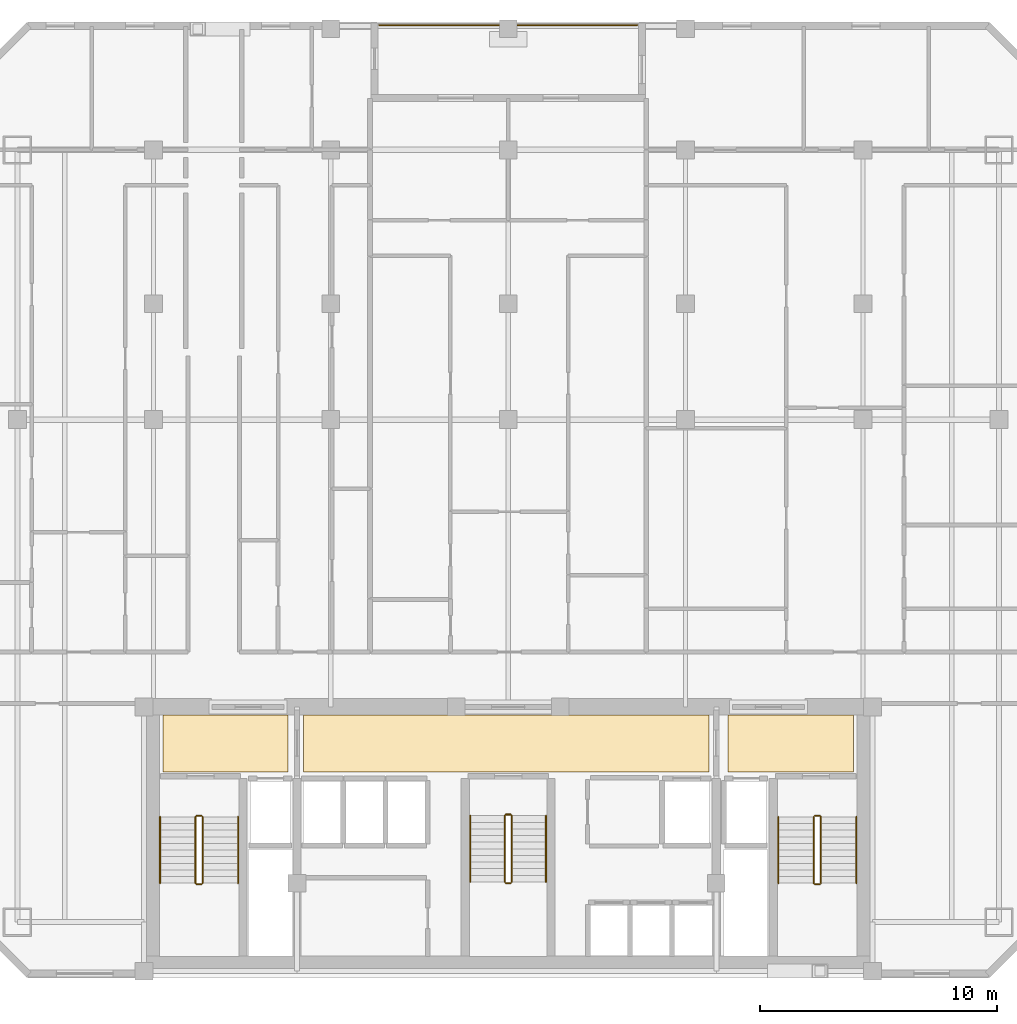
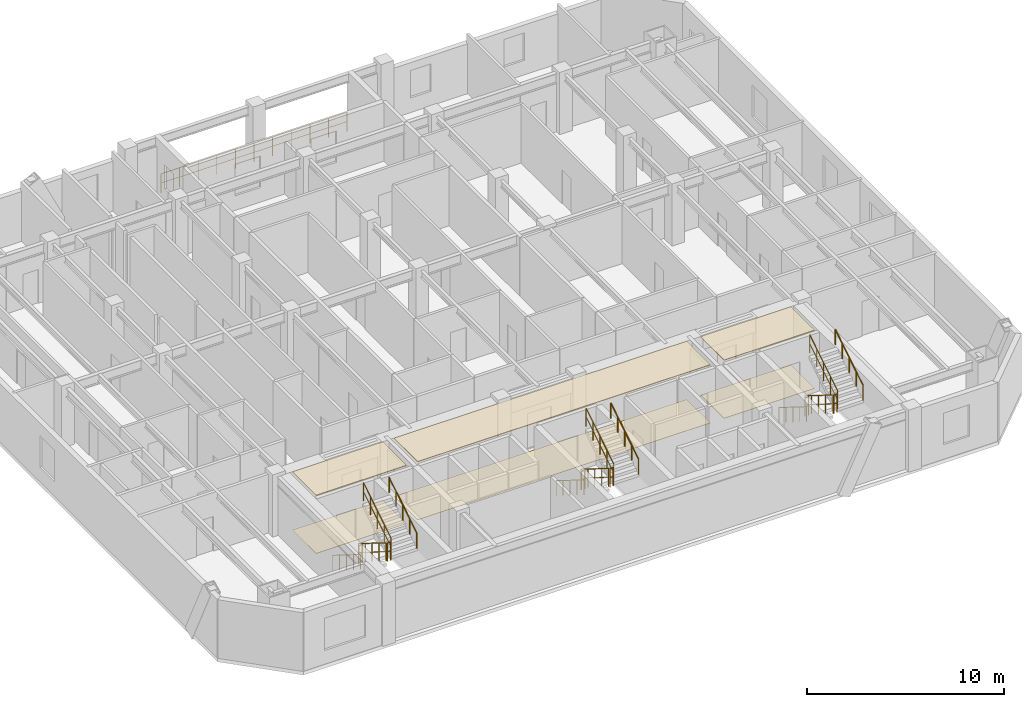
# One storey, part 8 of 8: 19 railings, 6 coverings.
"""IFC4 building model written with IfcOpenShell, lengths in metres."""

from ifc_helpers import new_model, si_unit, direction, frame, origin, origin_2d, place, context, subcontext, project, spatial, polyline, circle, outline, extrude, material, layer, layer_set, type_object, element, save


model = new_model("IFC4")

# Units and contexts
model_context = context("Model", 3, precision=1e-05, world=origin(), true_north=direction((0.0, 1.0)))
body_context = subcontext(model_context, "Body", "Model", "MODEL_VIEW")
ifc_project = project(units=[si_unit("LENGTHUNIT", "METRE"), si_unit("AREAUNIT", "SQUARE_METRE"), si_unit("VOLUMEUNIT", "CUBIC_METRE"), si_unit("PLANEANGLEUNIT", "RADIAN"), si_unit("MASSUNIT", "GRAM", prefix="KILO")], contexts=[model_context])

# Site, building, storey
site_placement = place(None, origin())
site = spatial("IfcSite", under=ifc_project, at=site_placement, CompositionType="ELEMENT")
building_placement = place(site_placement, origin())
building = spatial("IfcBuilding", under=site, at=building_placement, Name="Ventersveld Concourse Tower", CompositionType="ELEMENT")
storey_placement = place(building_placement, frame((0.0, 0.0, 179.85009765625)))
storey = spatial("IfcBuildingStorey", under=building, at=storey_placement, Name="L44", CompositionType="ELEMENT", Elevation=179.85009765625)

# Coverings
ifc_material_1 = material(Name="Mineral-fibre acoustic ceiling tile", Category="gypsum")
ifc_layer_1 = layer(ifc_material_1, 0.0400390625)
ifc_layer_set_1 = layer_set([ifc_layer_1], Name="Mineral-fibre acoustic ceiling tile")
covering_type_1 = type_object("IfcCoveringType", Name="COV-CEIL-ACOUSTIC", PredefinedType="CEILING", material=ifc_layer_set_1)
covering_1_placement = place(storey_placement, frame((0.0, 0.0, 3.58984375)))
element("IfcCovering", 1, at=covering_1_placement, inside=storey, type_object=covering_type_1, Name="L44 North Lift Lobby Acoustic Ceiling", PredefinedType="CEILING", context=body_context, shape_type="SweptSolid", body=[
    extrude(outline(polyline([(20.10009765625, 8.699951171875), (37.25, 8.699951171875), (37.25, 11.10009765625), (20.10009765625, 11.10009765625), (20.10009765625, 8.699951171875)])), origin(), (0.0, 0.0, 1.0), 0.0400390625),
])
covering_2_placement = place(storey_placement, frame((0.0, 0.0, 3.58984375)))
element("IfcCovering", 2, at=covering_2_placement, inside=storey, type_object=covering_type_1, Name="L44 West Firefighting Lobby Acoustic Ceiling", PredefinedType="CEILING", context=body_context, shape_type="SweptSolid", body=[
    extrude(outline(polyline([(14.14990234375, 8.699951171875), (19.449951171875, 8.699951171875), (19.449951171875, 11.10009765625), (14.14990234375, 11.10009765625), (14.14990234375, 8.699951171875)])), origin(), (0.0, 0.0, 1.0), 0.0400390625),
])
covering_3_placement = place(storey_placement, frame((0.0, 0.0, 3.58984375)))
element("IfcCovering", 3, at=covering_3_placement, inside=storey, type_object=covering_type_1, Name="L44 East Firefighting Lobby Acoustic Ceiling", PredefinedType="CEILING", context=body_context, shape_type="SweptSolid", body=[
    extrude(outline(polyline([(38.050048828125, 8.699951171875), (43.35009765625, 8.699951171875), (43.35009765625, 11.10009765625), (38.050048828125, 11.10009765625), (38.050048828125, 8.699951171875)])), origin(), (0.0, 0.0, 1.0), 0.0400390625),
])
ifc_material_2 = material(Name="Polished Highveld granite terrazzo", Category="masonry")
ifc_layer_2 = layer(ifc_material_2, 0.02001953125)
ifc_layer_set_2 = layer_set([ifc_layer_2], Name="Polished Highveld granite terrazzo")
covering_type_2 = type_object("IfcCoveringType", Name="COV-FLOOR-TERRAZZO", PredefinedType="FLOORING", material=ifc_layer_set_2)
covering_4_placement = place(storey_placement, origin())
element("IfcCovering", 4, at=covering_4_placement, inside=storey, type_object=covering_type_2, Name="L44 North Lift Lobby Terrazzo Flooring", PredefinedType="FLOORING", context=body_context, shape_type="SweptSolid", body=[
    extrude(outline(polyline([(20.10009765625, 8.699951171875), (37.25, 8.699951171875), (37.25, 11.10009765625), (20.10009765625, 11.10009765625), (20.10009765625, 8.699951171875)])), origin(), (0.0, 0.0, 1.0), 0.02001953125),
])
covering_5_placement = place(storey_placement, origin())
element("IfcCovering", 5, at=covering_5_placement, inside=storey, type_object=covering_type_2, Name="L44 West Firefighting Lobby Terrazzo Flooring", PredefinedType="FLOORING", context=body_context, shape_type="SweptSolid", body=[
    extrude(outline(polyline([(14.14990234375, 8.699951171875), (19.449951171875, 8.699951171875), (19.449951171875, 11.10009765625), (14.14990234375, 11.10009765625), (14.14990234375, 8.699951171875)])), origin(), (0.0, 0.0, 1.0), 0.02001953125),
])
covering_6_placement = place(storey_placement, origin())
element("IfcCovering", 6, at=covering_6_placement, inside=storey, type_object=covering_type_2, Name="L44 East Firefighting Lobby Terrazzo Flooring", PredefinedType="FLOORING", context=body_context, shape_type="SweptSolid", body=[
    extrude(outline(polyline([(38.050048828125, 8.699951171875), (43.35009765625, 8.699951171875), (43.35009765625, 11.10009765625), (38.050048828125, 11.10009765625), (38.050048828125, 8.699951171875)])), origin(), (0.0, 0.0, 1.0), 0.02001953125),
])

# Railings
ifc_material_3 = material(Name="Brushed stainless steel 316", Category="steel")
railing_type_1 = type_object("IfcRailingType", Name="GD-BAL-115", PredefinedType="GUARDRAIL", material=ifc_material_3)
railing_1_placement = place(storey_placement, frame((15.530029296875, 6.800048828125, 0.1748046875)))
element("IfcRailing", 7, at=railing_1_placement, inside=storey, type_object=railing_type_1, Name="L44 ST-01 stair guard 1", PredefinedType="GUARDRAIL", context=body_context, shape_type="SweptSolid", body=[
    extrude(circle(Radius=0.02392578125, at=origin_2d()), frame((0.0, 0.0, 1.1259765625), z_axis=(0.0, -0.848002457836, 0.529992293815), x_axis=(1.0, 0.0, 0.0)), (0.0, 0.0, 1.0), 3.302001953125),
    extrude(circle(Radius=0.01611328125, at=origin_2d()), frame((0.0, 0.0, 0.574951171875), z_axis=(0.0, -0.848002457836, 0.529992293815), x_axis=(1.0, 0.0, 0.0)), (0.0, 0.0, 1.0), 3.302001953125),
    extrude(circle(Radius=0.02099609375, at=origin_2d()), origin(), (0.0, 0.0, 1.0), 1.101806640625),
    extrude(circle(Radius=0.02099609375, at=origin_2d()), frame((0.0, -0.699951171875, 0.4375)), (0.0, 0.0, 1.0), 1.101806640625),
    extrude(circle(Radius=0.02099609375, at=origin_2d()), frame((0.0, -1.39990234375, 0.875)), (0.0, 0.0, 1.0), 1.101806640625),
    extrude(circle(Radius=0.02099609375, at=origin_2d()), frame((0.0, -2.10009765625, 1.3125)), (0.0, 0.0, 1.0), 1.101806640625),
    extrude(circle(Radius=0.02099609375, at=origin_2d()), frame((0.0, -2.800048828125, 1.75)), (0.0, 0.0, 1.0), 1.101806640625),
])
railing_2_placement = place(storey_placement, frame((15.580078125, 3.949951171875, 1.9248046875)))
element("IfcRailing", 8, at=railing_2_placement, inside=storey, type_object=railing_type_1, Name="L44 ST-01 stair guard 2", PredefinedType="GUARDRAIL", context=body_context, shape_type="SweptSolid", body=[
    extrude(circle(Radius=0.02392578125, at=origin_2d()), frame((0.0, 0.0, 1.1259765625), z_axis=(1.0, 0.0, 0.0), x_axis=(0.0, 1.0, 0.0)), (0.0, 0.0, 1.0), 0.199951171875),
    extrude(circle(Radius=0.01611328125, at=origin_2d()), frame((0.0, 0.0, 0.574951171875), z_axis=(1.0, 0.0, 0.0), x_axis=(0.0, 1.0, 0.0)), (0.0, 0.0, 1.0), 0.199951171875),
    extrude(circle(Radius=0.02099609375, at=origin_2d()), origin(), (0.0, 0.0, 1.0), 1.101806640625),
    extrude(circle(Radius=0.02099609375, at=origin_2d()), frame((0.199951171875, 0.0, 0.0)), (0.0, 0.0, 1.0), 1.101806640625),
])
railing_3_placement = place(storey_placement, frame((15.830078125, 4.0, 2.099853515625)))
element("IfcRailing", 9, at=railing_3_placement, inside=storey, type_object=railing_type_1, Name="L44 ST-01 stair guard 3", PredefinedType="GUARDRAIL", context=body_context, shape_type="SweptSolid", body=[
    extrude(circle(Radius=0.02392578125, at=origin_2d()), frame((0.0, 0.0, 1.1259765625), z_axis=(0.0, 0.848002457836, 0.529992293815), x_axis=(-1.0, 0.0, 0.0)), (0.0, 0.0, 1.0), 3.302001953125),
    extrude(circle(Radius=0.01611328125, at=origin_2d()), frame((0.0, 0.0, 0.574951171875), z_axis=(0.0, 0.848002457836, 0.529992293815), x_axis=(-1.0, 0.0, 0.0)), (0.0, 0.0, 1.0), 3.302001953125),
    extrude(circle(Radius=0.02099609375, at=origin_2d()), origin(), (0.0, 0.0, 1.0), 1.101806640625),
    extrude(circle(Radius=0.02099609375, at=origin_2d()), frame((0.0, 0.699951171875, 0.4375)), (0.0, 0.0, 1.0), 1.101806640625),
    extrude(circle(Radius=0.02099609375, at=origin_2d()), frame((0.0, 1.39990234375, 0.875)), (0.0, 0.0, 1.0), 1.101806640625),
    extrude(circle(Radius=0.02099609375, at=origin_2d()), frame((0.0, 2.10009765625, 1.3125)), (0.0, 0.0, 1.0), 1.101806640625),
    extrude(circle(Radius=0.02099609375, at=origin_2d()), frame((0.0, 2.800048828125, 1.75)), (0.0, 0.0, 1.0), 1.101806640625),
])
railing_4_placement = place(storey_placement, frame((15.580078125, 6.85009765625, 0.0)))
element("IfcRailing", 10, at=railing_4_placement, inside=storey, type_object=railing_type_1, Name="L44 ST-01 stair guard 4", PredefinedType="GUARDRAIL", context=body_context, shape_type="SweptSolid", body=[
    extrude(circle(Radius=0.02392578125, at=origin_2d()), frame((0.0, 0.0, 1.1259765625), z_axis=(1.0, 0.0, 0.0), x_axis=(0.0, 1.0, 0.0)), (0.0, 0.0, 1.0), 0.199951171875),
    extrude(circle(Radius=0.01611328125, at=origin_2d()), frame((0.0, 0.0, 0.574951171875), z_axis=(1.0, 0.0, 0.0), x_axis=(0.0, 1.0, 0.0)), (0.0, 0.0, 1.0), 0.199951171875),
    extrude(circle(Radius=0.02099609375, at=origin_2d()), origin(), (0.0, 0.0, 1.0), 1.101806640625),
    extrude(circle(Radius=0.02099609375, at=origin_2d()), frame((0.199951171875, 0.0, 0.0)), (0.0, 0.0, 1.0), 1.101806640625),
])
railing_5_placement = place(storey_placement, frame((41.669921875, 6.800048828125, 0.1748046875)))
element("IfcRailing", 11, at=railing_5_placement, inside=storey, type_object=railing_type_1, Name="L44 ST-02 stair guard 1", PredefinedType="GUARDRAIL", context=body_context, shape_type="SweptSolid", body=[
    extrude(circle(Radius=0.02392578125, at=origin_2d()), frame((0.0, 0.0, 1.1259765625), z_axis=(0.0, -0.848002457836, 0.529992293815), x_axis=(1.0, 0.0, 0.0)), (0.0, 0.0, 1.0), 3.302001953125),
    extrude(circle(Radius=0.01611328125, at=origin_2d()), frame((0.0, 0.0, 0.574951171875), z_axis=(0.0, -0.848002457836, 0.529992293815), x_axis=(1.0, 0.0, 0.0)), (0.0, 0.0, 1.0), 3.302001953125),
    extrude(circle(Radius=0.02099609375, at=origin_2d()), origin(), (0.0, 0.0, 1.0), 1.101806640625),
    extrude(circle(Radius=0.02099609375, at=origin_2d()), frame((0.0, -0.699951171875, 0.4375)), (0.0, 0.0, 1.0), 1.101806640625),
    extrude(circle(Radius=0.02099609375, at=origin_2d()), frame((0.0, -1.39990234375, 0.875)), (0.0, 0.0, 1.0), 1.101806640625),
    extrude(circle(Radius=0.02099609375, at=origin_2d()), frame((0.0, -2.10009765625, 1.3125)), (0.0, 0.0, 1.0), 1.101806640625),
    extrude(circle(Radius=0.02099609375, at=origin_2d()), frame((0.0, -2.800048828125, 1.75)), (0.0, 0.0, 1.0), 1.101806640625),
])
railing_6_placement = place(storey_placement, frame((41.719970703125, 3.949951171875, 1.9248046875)))
element("IfcRailing", 12, at=railing_6_placement, inside=storey, type_object=railing_type_1, Name="L44 ST-02 stair guard 2", PredefinedType="GUARDRAIL", context=body_context, shape_type="SweptSolid", body=[
    extrude(circle(Radius=0.02392578125, at=origin_2d()), frame((0.0, 0.0, 1.1259765625), z_axis=(1.0, 0.0, 0.0), x_axis=(0.0, 1.0, 0.0)), (0.0, 0.0, 1.0), 0.199951171875),
    extrude(circle(Radius=0.01611328125, at=origin_2d()), frame((0.0, 0.0, 0.574951171875), z_axis=(1.0, 0.0, 0.0), x_axis=(0.0, 1.0, 0.0)), (0.0, 0.0, 1.0), 0.199951171875),
    extrude(circle(Radius=0.02099609375, at=origin_2d()), origin(), (0.0, 0.0, 1.0), 1.101806640625),
    extrude(circle(Radius=0.02099609375, at=origin_2d()), frame((0.199951171875, 0.0, 0.0)), (0.0, 0.0, 1.0), 1.101806640625),
])
railing_7_placement = place(storey_placement, frame((41.969970703125, 4.0, 2.099853515625)))
element("IfcRailing", 13, at=railing_7_placement, inside=storey, type_object=railing_type_1, Name="L44 ST-02 stair guard 3", PredefinedType="GUARDRAIL", context=body_context, shape_type="SweptSolid", body=[
    extrude(circle(Radius=0.02392578125, at=origin_2d()), frame((0.0, 0.0, 1.1259765625), z_axis=(0.0, 0.848002457836, 0.529992293815), x_axis=(-1.0, 0.0, 0.0)), (0.0, 0.0, 1.0), 3.302001953125),
    extrude(circle(Radius=0.01611328125, at=origin_2d()), frame((0.0, 0.0, 0.574951171875), z_axis=(0.0, 0.848002457836, 0.529992293815), x_axis=(-1.0, 0.0, 0.0)), (0.0, 0.0, 1.0), 3.302001953125),
    extrude(circle(Radius=0.02099609375, at=origin_2d()), origin(), (0.0, 0.0, 1.0), 1.101806640625),
    extrude(circle(Radius=0.02099609375, at=origin_2d()), frame((0.0, 0.699951171875, 0.4375)), (0.0, 0.0, 1.0), 1.101806640625),
    extrude(circle(Radius=0.02099609375, at=origin_2d()), frame((0.0, 1.39990234375, 0.875)), (0.0, 0.0, 1.0), 1.101806640625),
    extrude(circle(Radius=0.02099609375, at=origin_2d()), frame((0.0, 2.10009765625, 1.3125)), (0.0, 0.0, 1.0), 1.101806640625),
    extrude(circle(Radius=0.02099609375, at=origin_2d()), frame((0.0, 2.800048828125, 1.75)), (0.0, 0.0, 1.0), 1.101806640625),
])
railing_8_placement = place(storey_placement, frame((41.719970703125, 6.85009765625, 0.0)))
element("IfcRailing", 14, at=railing_8_placement, inside=storey, type_object=railing_type_1, Name="L44 ST-02 stair guard 4", PredefinedType="GUARDRAIL", context=body_context, shape_type="SweptSolid", body=[
    extrude(circle(Radius=0.02392578125, at=origin_2d()), frame((0.0, 0.0, 1.1259765625), z_axis=(1.0, 0.0, 0.0), x_axis=(0.0, 1.0, 0.0)), (0.0, 0.0, 1.0), 0.199951171875),
    extrude(circle(Radius=0.01611328125, at=origin_2d()), frame((0.0, 0.0, 0.574951171875), z_axis=(1.0, 0.0, 0.0), x_axis=(0.0, 1.0, 0.0)), (0.0, 0.0, 1.0), 0.199951171875),
    extrude(circle(Radius=0.02099609375, at=origin_2d()), origin(), (0.0, 0.0, 1.0), 1.101806640625),
    extrude(circle(Radius=0.02099609375, at=origin_2d()), frame((0.199951171875, 0.0, 0.0)), (0.0, 0.0, 1.0), 1.101806640625),
])
railing_9_placement = place(storey_placement, frame((28.60009765625, 6.85009765625, 0.1748046875)))
element("IfcRailing", 15, at=railing_9_placement, inside=storey, type_object=railing_type_1, Name="L44 ST-03 stair guard 1", PredefinedType="GUARDRAIL", context=body_context, shape_type="SweptSolid", body=[
    extrude(circle(Radius=0.02392578125, at=origin_2d()), frame((0.0, 0.0, 1.1259765625), z_axis=(0.0, -0.848002457836, 0.529992293815), x_axis=(1.0, 0.0, 0.0)), (0.0, 0.0, 1.0), 3.302001953125),
    extrude(circle(Radius=0.01611328125, at=origin_2d()), frame((0.0, 0.0, 0.574951171875), z_axis=(0.0, -0.848002457836, 0.529992293815), x_axis=(1.0, 0.0, 0.0)), (0.0, 0.0, 1.0), 3.302001953125),
    extrude(circle(Radius=0.02099609375, at=origin_2d()), origin(), (0.0, 0.0, 1.0), 1.101806640625),
    extrude(circle(Radius=0.02099609375, at=origin_2d()), frame((0.0, -0.699951171875, 0.4375)), (0.0, 0.0, 1.0), 1.101806640625),
    extrude(circle(Radius=0.02099609375, at=origin_2d()), frame((0.0, -1.39990234375, 0.875)), (0.0, 0.0, 1.0), 1.101806640625),
    extrude(circle(Radius=0.02099609375, at=origin_2d()), frame((0.0, -2.10009765625, 1.3125)), (0.0, 0.0, 1.0), 1.101806640625),
    extrude(circle(Radius=0.02099609375, at=origin_2d()), frame((0.0, -2.800048828125, 1.75)), (0.0, 0.0, 1.0), 1.101806640625),
])
railing_10_placement = place(storey_placement, frame((28.64990234375, 4.0, 1.9248046875)))
element("IfcRailing", 16, at=railing_10_placement, inside=storey, type_object=railing_type_1, Name="L44 ST-03 stair guard 2", PredefinedType="GUARDRAIL", context=body_context, shape_type="SweptSolid", body=[
    extrude(circle(Radius=0.02392578125, at=origin_2d()), frame((0.0, 0.0, 1.1259765625), z_axis=(1.0, 0.0, 0.0), x_axis=(0.0, 1.0, 0.0)), (0.0, 0.0, 1.0), 0.2001953125),
    extrude(circle(Radius=0.01611328125, at=origin_2d()), frame((0.0, 0.0, 0.574951171875), z_axis=(1.0, 0.0, 0.0), x_axis=(0.0, 1.0, 0.0)), (0.0, 0.0, 1.0), 0.2001953125),
    extrude(circle(Radius=0.02099609375, at=origin_2d()), origin(), (0.0, 0.0, 1.0), 1.101806640625),
    extrude(circle(Radius=0.02099609375, at=origin_2d()), frame((0.2001953125, 0.0, 0.0)), (0.0, 0.0, 1.0), 1.101806640625),
])
railing_11_placement = place(storey_placement, frame((28.89990234375, 4.050048828125, 2.099853515625)))
element("IfcRailing", 17, at=railing_11_placement, inside=storey, type_object=railing_type_1, Name="L44 ST-03 stair guard 3", PredefinedType="GUARDRAIL", context=body_context, shape_type="SweptSolid", body=[
    extrude(circle(Radius=0.02392578125, at=origin_2d()), frame((0.0, 0.0, 1.1259765625), z_axis=(0.0, 0.848002457836, 0.529992293815), x_axis=(-1.0, 0.0, 0.0)), (0.0, 0.0, 1.0), 3.302001953125),
    extrude(circle(Radius=0.01611328125, at=origin_2d()), frame((0.0, 0.0, 0.574951171875), z_axis=(0.0, 0.848002457836, 0.529992293815), x_axis=(-1.0, 0.0, 0.0)), (0.0, 0.0, 1.0), 3.302001953125),
    extrude(circle(Radius=0.02099609375, at=origin_2d()), origin(), (0.0, 0.0, 1.0), 1.101806640625),
    extrude(circle(Radius=0.02099609375, at=origin_2d()), frame((0.0, 0.699951171875, 0.4375)), (0.0, 0.0, 1.0), 1.101806640625),
    extrude(circle(Radius=0.02099609375, at=origin_2d()), frame((0.0, 1.39990234375, 0.875)), (0.0, 0.0, 1.0), 1.101806640625),
    extrude(circle(Radius=0.02099609375, at=origin_2d()), frame((0.0, 2.10009765625, 1.3125)), (0.0, 0.0, 1.0), 1.101806640625),
    extrude(circle(Radius=0.02099609375, at=origin_2d()), frame((0.0, 2.800048828125, 1.75)), (0.0, 0.0, 1.0), 1.101806640625),
])
railing_12_placement = place(storey_placement, frame((28.64990234375, 6.89990234375, 0.0)))
element("IfcRailing", 18, at=railing_12_placement, inside=storey, type_object=railing_type_1, Name="L44 ST-03 stair guard 4", PredefinedType="GUARDRAIL", context=body_context, shape_type="SweptSolid", body=[
    extrude(circle(Radius=0.02392578125, at=origin_2d()), frame((0.0, 0.0, 1.1259765625), z_axis=(1.0, 0.0, 0.0), x_axis=(0.0, 1.0, 0.0)), (0.0, 0.0, 1.0), 0.2001953125),
    extrude(circle(Radius=0.01611328125, at=origin_2d()), frame((0.0, 0.0, 0.574951171875), z_axis=(1.0, 0.0, 0.0), x_axis=(0.0, 1.0, 0.0)), (0.0, 0.0, 1.0), 0.2001953125),
    extrude(circle(Radius=0.02099609375, at=origin_2d()), origin(), (0.0, 0.0, 1.0), 1.101806640625),
    extrude(circle(Radius=0.02099609375, at=origin_2d()), frame((0.2001953125, 0.0, 0.0)), (0.0, 0.0, 1.0), 1.101806640625),
])
railing_type_2 = type_object("IfcRailingType", Name="GD-TER-120", PredefinedType="GUARDRAIL", material=ifc_material_3)
railing_13_placement = place(storey_placement, frame((23.300048828125, 40.280029296875, 0.0)))
element("IfcRailing", 19, at=railing_13_placement, inside=storey, type_object=railing_type_2, Name="L44 Outdoor Terrace Guardrail NOTCH-N", PredefinedType="GUARDRAIL", context=body_context, shape_type="SweptSolid", body=[
    extrude(circle(Radius=0.02392578125, at=origin_2d()), frame((0.0, 0.0, 1.17578125), z_axis=(1.0, 0.0, 0.0), x_axis=(0.0, 1.0, 0.0)), (0.0, 0.0, 1.0), 10.89990234375),
    extrude(circle(Radius=0.01611328125, at=origin_2d()), frame((0.0, 0.0, 0.60009765625), z_axis=(1.0, 0.0, 0.0), x_axis=(0.0, 1.0, 0.0)), (0.0, 0.0, 1.0), 10.89990234375),
    extrude(circle(Radius=0.02099609375, at=origin_2d()), origin(), (0.0, 0.0, 1.0), 1.15185546875),
    extrude(circle(Radius=0.02099609375, at=origin_2d()), frame((1.090087890625, 0.0, 0.0)), (0.0, 0.0, 1.0), 1.15185546875),
    extrude(circle(Radius=0.02099609375, at=origin_2d()), frame((2.179931640625, 0.0, 0.0)), (0.0, 0.0, 1.0), 1.15185546875),
    extrude(circle(Radius=0.02099609375, at=origin_2d()), frame((3.27001953125, 0.0, 0.0)), (0.0, 0.0, 1.0), 1.15185546875),
    extrude(circle(Radius=0.02099609375, at=origin_2d()), frame((4.35986328125, 0.0, 0.0)), (0.0, 0.0, 1.0), 1.15185546875),
    extrude(circle(Radius=0.02099609375, at=origin_2d()), frame((5.449951171875, 0.0, 0.0)), (0.0, 0.0, 1.0), 1.15185546875),
    extrude(circle(Radius=0.02099609375, at=origin_2d()), frame((6.5400390625, 0.0, 0.0)), (0.0, 0.0, 1.0), 1.15185546875),
    extrude(circle(Radius=0.02099609375, at=origin_2d()), frame((7.6298828125, 0.0, 0.0)), (0.0, 0.0, 1.0), 1.15185546875),
    extrude(circle(Radius=0.02099609375, at=origin_2d()), frame((8.719970703125, 0.0, 0.0)), (0.0, 0.0, 1.0), 1.15185546875),
    extrude(circle(Radius=0.02099609375, at=origin_2d()), frame((9.809814453125, 0.0, 0.0)), (0.0, 0.0, 1.0), 1.15185546875),
    extrude(circle(Radius=0.02099609375, at=origin_2d()), frame((10.89990234375, 0.0, 0.0)), (0.0, 0.0, 1.0), 1.15185546875),
])
railing_type_3 = type_object("IfcRailingType", Name="HR-RMP-095", PredefinedType="HANDRAIL", material=ifc_material_3)
railing_14_placement = place(storey_placement, frame((14.030029296875, 6.800048828125, 0.1748046875)))
element("IfcRailing", 20, at=railing_14_placement, inside=storey, type_object=railing_type_3, Name="L44 ST-01 stair handrail 1", PredefinedType="HANDRAIL", context=body_context, shape_type="SweptSolid", body=[
    extrude(circle(Radius=0.02392578125, at=origin_2d()), frame((0.0, 0.0, 0.92578125), z_axis=(0.0, -0.848002457836, 0.529992293815), x_axis=(1.0, 0.0, 0.0)), (0.0, 0.0, 1.0), 3.302001953125),
    extrude(circle(Radius=0.02099609375, at=origin_2d()), origin(), (0.0, 0.0, 1.0), 0.90185546875),
    extrude(circle(Radius=0.02099609375, at=origin_2d()), frame((0.0, -0.699951171875, 0.4375)), (0.0, 0.0, 1.0), 0.90185546875),
    extrude(circle(Radius=0.02099609375, at=origin_2d()), frame((0.0, -1.39990234375, 0.875)), (0.0, 0.0, 1.0), 0.90185546875),
    extrude(circle(Radius=0.02099609375, at=origin_2d()), frame((0.0, -2.10009765625, 1.3125)), (0.0, 0.0, 1.0), 0.90185546875),
    extrude(circle(Radius=0.02099609375, at=origin_2d()), frame((0.0, -2.800048828125, 1.75)), (0.0, 0.0, 1.0), 0.90185546875),
])
railing_15_placement = place(storey_placement, frame((17.330078125, 4.0, 2.099853515625)))
element("IfcRailing", 21, at=railing_15_placement, inside=storey, type_object=railing_type_3, Name="L44 ST-01 stair handrail 2", PredefinedType="HANDRAIL", context=body_context, shape_type="SweptSolid", body=[
    extrude(circle(Radius=0.02392578125, at=origin_2d()), frame((0.0, 0.0, 0.92578125), z_axis=(0.0, 0.848002457836, 0.529992293815), x_axis=(-1.0, 0.0, 0.0)), (0.0, 0.0, 1.0), 3.302001953125),
    extrude(circle(Radius=0.02099609375, at=origin_2d()), origin(), (0.0, 0.0, 1.0), 0.90185546875),
    extrude(circle(Radius=0.02099609375, at=origin_2d()), frame((0.0, 0.699951171875, 0.4375)), (0.0, 0.0, 1.0), 0.90185546875),
    extrude(circle(Radius=0.02099609375, at=origin_2d()), frame((0.0, 1.39990234375, 0.875)), (0.0, 0.0, 1.0), 0.90185546875),
    extrude(circle(Radius=0.02099609375, at=origin_2d()), frame((0.0, 2.10009765625, 1.3125)), (0.0, 0.0, 1.0), 0.90185546875),
    extrude(circle(Radius=0.02099609375, at=origin_2d()), frame((0.0, 2.800048828125, 1.75)), (0.0, 0.0, 1.0), 0.90185546875),
])
railing_16_placement = place(storey_placement, frame((40.169921875, 6.800048828125, 0.1748046875)))
element("IfcRailing", 22, at=railing_16_placement, inside=storey, type_object=railing_type_3, Name="L44 ST-02 stair handrail 1", PredefinedType="HANDRAIL", context=body_context, shape_type="SweptSolid", body=[
    extrude(circle(Radius=0.02392578125, at=origin_2d()), frame((0.0, 0.0, 0.92578125), z_axis=(0.0, -0.848002457836, 0.529992293815), x_axis=(1.0, 0.0, 0.0)), (0.0, 0.0, 1.0), 3.302001953125),
    extrude(circle(Radius=0.02099609375, at=origin_2d()), origin(), (0.0, 0.0, 1.0), 0.90185546875),
    extrude(circle(Radius=0.02099609375, at=origin_2d()), frame((0.0, -0.699951171875, 0.4375)), (0.0, 0.0, 1.0), 0.90185546875),
    extrude(circle(Radius=0.02099609375, at=origin_2d()), frame((0.0, -1.39990234375, 0.875)), (0.0, 0.0, 1.0), 0.90185546875),
    extrude(circle(Radius=0.02099609375, at=origin_2d()), frame((0.0, -2.10009765625, 1.3125)), (0.0, 0.0, 1.0), 0.90185546875),
    extrude(circle(Radius=0.02099609375, at=origin_2d()), frame((0.0, -2.800048828125, 1.75)), (0.0, 0.0, 1.0), 0.90185546875),
])
railing_17_placement = place(storey_placement, frame((43.469970703125, 4.0, 2.099853515625)))
element("IfcRailing", 23, at=railing_17_placement, inside=storey, type_object=railing_type_3, Name="L44 ST-02 stair handrail 2", PredefinedType="HANDRAIL", context=body_context, shape_type="SweptSolid", body=[
    extrude(circle(Radius=0.02392578125, at=origin_2d()), frame((0.0, 0.0, 0.92578125), z_axis=(0.0, 0.848002457836, 0.529992293815), x_axis=(-1.0, 0.0, 0.0)), (0.0, 0.0, 1.0), 3.302001953125),
    extrude(circle(Radius=0.02099609375, at=origin_2d()), origin(), (0.0, 0.0, 1.0), 0.90185546875),
    extrude(circle(Radius=0.02099609375, at=origin_2d()), frame((0.0, 0.699951171875, 0.4375)), (0.0, 0.0, 1.0), 0.90185546875),
    extrude(circle(Radius=0.02099609375, at=origin_2d()), frame((0.0, 1.39990234375, 0.875)), (0.0, 0.0, 1.0), 0.90185546875),
    extrude(circle(Radius=0.02099609375, at=origin_2d()), frame((0.0, 2.10009765625, 1.3125)), (0.0, 0.0, 1.0), 0.90185546875),
    extrude(circle(Radius=0.02099609375, at=origin_2d()), frame((0.0, 2.800048828125, 1.75)), (0.0, 0.0, 1.0), 0.90185546875),
])
railing_18_placement = place(storey_placement, frame((27.14990234375, 6.85009765625, 0.1748046875)))
element("IfcRailing", 24, at=railing_18_placement, inside=storey, type_object=railing_type_3, Name="L44 ST-03 stair handrail 1", PredefinedType="HANDRAIL", context=body_context, shape_type="SweptSolid", body=[
    extrude(circle(Radius=0.02392578125, at=origin_2d()), frame((0.0, 0.0, 0.92578125), z_axis=(0.0, -0.848002457836, 0.529992293815), x_axis=(1.0, 0.0, 0.0)), (0.0, 0.0, 1.0), 3.302001953125),
    extrude(circle(Radius=0.02099609375, at=origin_2d()), origin(), (0.0, 0.0, 1.0), 0.90185546875),
    extrude(circle(Radius=0.02099609375, at=origin_2d()), frame((0.0, -0.699951171875, 0.4375)), (0.0, 0.0, 1.0), 0.90185546875),
    extrude(circle(Radius=0.02099609375, at=origin_2d()), frame((0.0, -1.39990234375, 0.875)), (0.0, 0.0, 1.0), 0.90185546875),
    extrude(circle(Radius=0.02099609375, at=origin_2d()), frame((0.0, -2.10009765625, 1.3125)), (0.0, 0.0, 1.0), 0.90185546875),
    extrude(circle(Radius=0.02099609375, at=origin_2d()), frame((0.0, -2.800048828125, 1.75)), (0.0, 0.0, 1.0), 0.90185546875),
])
railing_19_placement = place(storey_placement, frame((30.35009765625, 4.050048828125, 2.099853515625)))
element("IfcRailing", 25, at=railing_19_placement, inside=storey, type_object=railing_type_3, Name="L44 ST-03 stair handrail 2", PredefinedType="HANDRAIL", context=body_context, shape_type="SweptSolid", body=[
    extrude(circle(Radius=0.02392578125, at=origin_2d()), frame((0.0, 0.0, 0.92578125), z_axis=(0.0, 0.848002457836, 0.529992293815), x_axis=(-1.0, 0.0, 0.0)), (0.0, 0.0, 1.0), 3.302001953125),
    extrude(circle(Radius=0.02099609375, at=origin_2d()), origin(), (0.0, 0.0, 1.0), 0.90185546875),
    extrude(circle(Radius=0.02099609375, at=origin_2d()), frame((0.0, 0.699951171875, 0.4375)), (0.0, 0.0, 1.0), 0.90185546875),
    extrude(circle(Radius=0.02099609375, at=origin_2d()), frame((0.0, 1.39990234375, 0.875)), (0.0, 0.0, 1.0), 0.90185546875),
    extrude(circle(Radius=0.02099609375, at=origin_2d()), frame((0.0, 2.10009765625, 1.3125)), (0.0, 0.0, 1.0), 0.90185546875),
    extrude(circle(Radius=0.02099609375, at=origin_2d()), frame((0.0, 2.800048828125, 1.75)), (0.0, 0.0, 1.0), 0.90185546875),
])

save(model, "model.ifc")
